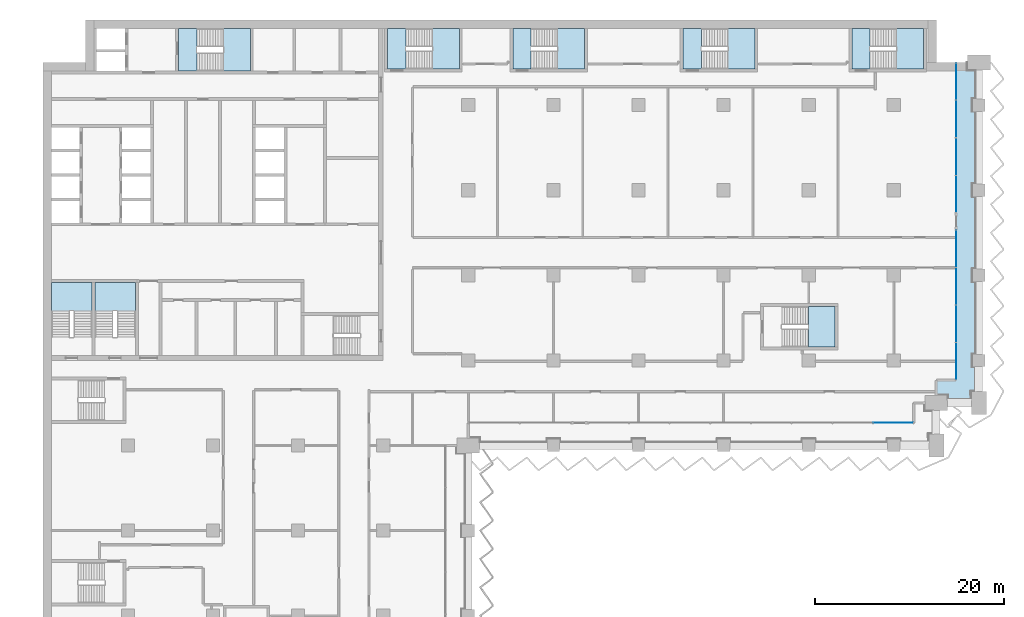
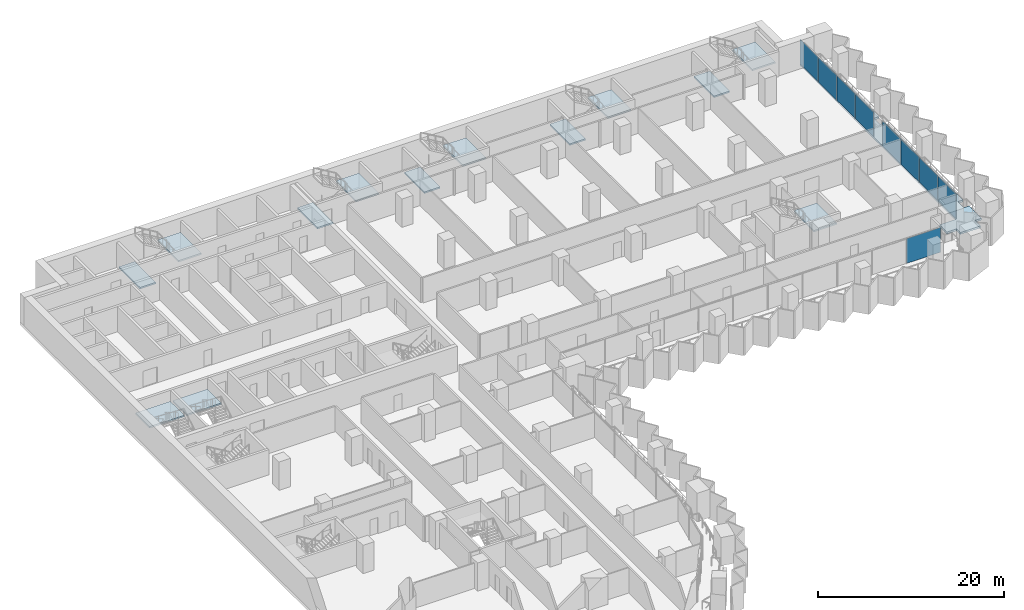
# One storey, part 9 of 29: 14 slabs, 9 plates, 11 elements without a shape of their own.
"""IFC4 building model written with IfcOpenShell, lengths in metres."""

from ifc_helpers import new_model, si_unit, direction, frame, origin, origin_2d, place, context, subcontext, project, spatial, polyline, rectangle, outline, extrude, material, layer, layer_set, type_object, element, aggregate, save


model = new_model("IFC4")

# Units and contexts
model_context = context("Model", 3, precision=1e-05, world=origin(), true_north=direction((0.0, 1.0)))
body_context = subcontext(model_context, "Body", "Model", "MODEL_VIEW")
ifc_project = project(units=[si_unit("LENGTHUNIT", "METRE"), si_unit("AREAUNIT", "SQUARE_METRE"), si_unit("VOLUMEUNIT", "CUBIC_METRE"), si_unit("PLANEANGLEUNIT", "RADIAN"), si_unit("MASSUNIT", "GRAM", prefix="KILO")], contexts=[model_context])

# Site, building, storey
site_placement = place(None, origin())
site = spatial("IfcSite", under=ifc_project, at=site_placement, CompositionType="ELEMENT")
building_placement = place(site_placement, origin())
building = spatial("IfcBuilding", under=site, at=building_placement, Name="Hunhe Ridgeline Campus", CompositionType="ELEMENT")
storey_placement = place(building_placement, frame((0.0, 0.0, 46.89990234375)))
storey = spatial("IfcBuildingStorey", under=building, at=storey_placement, Name="L10", CompositionType="ELEMENT", Elevation=46.89990234375)

# Curtain wall, plate
ifc_material_1 = material(Name="Aluminium 6063", Category="aluminium")
curtain_wall_type = type_object("IfcCurtainWallType", Name="Curtain wall CW-1", PredefinedType="NOTDEFINED", material=ifc_material_1)
curtain_wall_1_placement = place(storey_placement, origin())
curtain_wall_1 = element("IfcCurtainWall", 1, at=curtain_wall_1_placement, inside=storey, type_object=curtain_wall_type, Name="Curtain wall 13", PredefinedType="NOTDEFINED")
ifc_material_2 = material(Name="Low-e laminated glass", Category="glass")
ifc_layer_1 = layer(ifc_material_2, 0.028076171875)
ifc_layer_set_1 = layer_set([ifc_layer_1], Name="Curtain wall glass panel 28 low-e laminated")
plate_type = type_object("IfcPlateType", Name="Curtain wall glass panel 28 low-e laminated", PredefinedType="CURTAIN_PANEL", material=ifc_layer_set_1)
plate_1_placement = place(storey_placement, frame((89.932373046875, 56.40087890625, 0.0), z_axis=(0.0, 0.0, 1.0), x_axis=(0.999999999994, 3.602063e-06, 0.0)))
plate_1 = element("IfcPlate", 2, at=plate_1_placement, type_object=plate_type, Name="CW-1 panel 8", PredefinedType="CURTAIN_PANEL", context=body_context, shape_type="SweptSolid", body=[
    extrude(rectangle(XDim=4.213134765625, YDim=0.028076171875, at=origin_2d()), origin(), (0.0, 0.0, 1.0), 3.239990234375),
])
aggregate(curtain_wall_1, [plate_1])

# Curtain wall, plates
curtain_wall_2_placement = place(storey_placement, origin())
curtain_wall_2 = element("IfcCurtainWall", 3, at=curtain_wall_2_placement, inside=storey, type_object=curtain_wall_type, Name="Curtain wall 14", PredefinedType="NOTDEFINED")
plate_2_placement = place(storey_placement, frame((96.59912109375, 62.9033203125, 0.0), z_axis=(0.0, 0.0, 1.0), x_axis=(0.0, 1.0, 0.0)))
plate_2 = element("IfcPlate", 4, at=plate_2_placement, type_object=plate_type, Name="CW-1 panel 1", PredefinedType="CURTAIN_PANEL", context=body_context, shape_type="SweptSolid", body=[
    extrude(rectangle(XDim=3.884765625, YDim=0.028076171875, at=origin_2d()), origin(), (0.0, 0.0, 1.0), 3.239990234375),
])
plate_3_placement = place(storey_placement, frame((96.59912109375, 66.86328125, 0.0), z_axis=(0.0, 0.0, 1.0), x_axis=(0.0, 1.0, 0.0)))
plate_3 = element("IfcPlate", 5, at=plate_3_placement, type_object=plate_type, Name="CW-1 panel 2", PredefinedType="CURTAIN_PANEL", context=body_context, shape_type="SweptSolid", body=[
    extrude(rectangle(XDim=3.914794921875, YDim=0.028076171875, at=origin_2d()), origin(), (0.0, 0.0, 1.0), 3.239990234375),
])
plate_4_placement = place(storey_placement, frame((96.59912109375, 70.838134765625, 0.0), z_axis=(0.0, 0.0, 1.0), x_axis=(0.0, 1.0, 0.0)))
plate_4 = element("IfcPlate", 6, at=plate_4_placement, type_object=plate_type, Name="CW-1 panel 3", PredefinedType="CURTAIN_PANEL", context=body_context, shape_type="SweptSolid", body=[
    extrude(rectangle(XDim=3.914794921875, YDim=0.028076171875, at=origin_2d()), origin(), (0.0, 0.0, 1.0), 3.239990234375),
])
plate_5_placement = place(storey_placement, frame((96.59912109375, 74.798095703125, 0.0), z_axis=(0.0, 0.0, 1.0), x_axis=(0.0, 1.0, 0.0)))
plate_5 = element("IfcPlate", 7, at=plate_5_placement, type_object=plate_type, Name="CW-1 panel 4", PredefinedType="CURTAIN_PANEL", context=body_context, shape_type="SweptSolid", body=[
    extrude(rectangle(XDim=3.884765625, YDim=0.028076171875, at=origin_2d()), origin(), (0.0, 0.0, 1.0), 3.239990234375),
])
aggregate(curtain_wall_2, [plate_2, plate_3, plate_4, plate_5])

curtain_wall_3_placement = place(storey_placement, origin())
curtain_wall_3 = element("IfcCurtainWall", 8, at=curtain_wall_3_placement, inside=storey, type_object=curtain_wall_type, Name="Curtain wall 15", PredefinedType="NOTDEFINED")
plate_6_placement = place(storey_placement, frame((96.59912109375, 80.60302734375, 0.0), z_axis=(0.0, 0.0, 1.0), x_axis=(0.0, 1.0, 0.0)))
plate_6 = element("IfcPlate", 9, at=plate_6_placement, type_object=plate_type, Name="CW-1 panel 1", PredefinedType="CURTAIN_PANEL", context=body_context, shape_type="SweptSolid", body=[
    extrude(rectangle(XDim=3.884765625, YDim=0.028076171875, at=origin_2d()), origin(), (0.0, 0.0, 1.0), 3.239990234375),
])
plate_7_placement = place(storey_placement, frame((96.59912109375, 84.562744140625, 0.0), z_axis=(0.0, 0.0, 1.0), x_axis=(0.0, 1.0, 0.0)))
plate_7 = element("IfcPlate", 10, at=plate_7_placement, type_object=plate_type, Name="CW-1 panel 2", PredefinedType="CURTAIN_PANEL", context=body_context, shape_type="SweptSolid", body=[
    extrude(rectangle(XDim=3.914794921875, YDim=0.028076171875, at=origin_2d()), origin(), (0.0, 0.0, 1.0), 3.239990234375),
])
plate_8_placement = place(storey_placement, frame((96.59912109375, 88.53759765625, 0.0), z_axis=(0.0, 0.0, 1.0), x_axis=(0.0, 1.0, 0.0)))
plate_8 = element("IfcPlate", 11, at=plate_8_placement, type_object=plate_type, Name="CW-1 panel 3", PredefinedType="CURTAIN_PANEL", context=body_context, shape_type="SweptSolid", body=[
    extrude(rectangle(XDim=3.914794921875, YDim=0.028076171875, at=origin_2d()), origin(), (0.0, 0.0, 1.0), 3.239990234375),
])
plate_9_placement = place(storey_placement, frame((96.59912109375, 92.49755859375, 0.0), z_axis=(0.0, 0.0, 1.0), x_axis=(0.0, 1.0, 0.0)))
plate_9 = element("IfcPlate", 12, at=plate_9_placement, type_object=plate_type, Name="CW-1 panel 4", PredefinedType="CURTAIN_PANEL", context=body_context, shape_type="SweptSolid", body=[
    extrude(rectangle(XDim=3.884765625, YDim=0.028076171875, at=origin_2d()), origin(), (0.0, 0.0, 1.0), 3.239990234375),
])
aggregate(curtain_wall_3, [plate_6, plate_7, plate_8, plate_9])

# Slab
ifc_material_3 = material(Name="Concrete C40", Category="concrete")
ifc_layer_2 = layer(ifc_material_3, 0.25)
ifc_layer_set_2 = layer_set([ifc_layer_2], Name="Loggia slab 250 Concrete C40")
slab_type_1 = type_object("IfcSlabType", Name="Loggia slab 250 Concrete C40", PredefinedType="FLOOR", material=ifc_layer_set_2)
slab_1_placement = place(storey_placement, frame((0.0, 0.0, -0.25)))
element("IfcSlab", 13, at=slab_1_placement, inside=storey, type_object=slab_type_1, Name="Loggia slab 3", PredefinedType="FLOOR", context=body_context, shape_type="SweptSolid", body=[
    extrude(outline(polyline([(94.5, 59.300048828125), (95.699951171875, 59.300048828125), (95.699951171875, 58.5), (98.199951171875, 58.5), (98.199951171875, 59.699951171875), (99.0, 59.699951171875), (99.0, 62.35009765625), (98.35009765625, 62.35009765625), (98.35009765625, 63.64990234375), (99.0, 63.64990234375), (99.0, 71.35009765625), (98.35009765625, 71.35009765625), (98.35009765625, 72.64990234375), (99.0, 72.64990234375), (99.0, 80.35009765625), (98.35009765625, 80.35009765625), (98.35009765625, 81.64990234375), (99.0, 81.64990234375), (99.0, 89.35009765625), (98.35009765625, 89.35009765625), (98.35009765625, 90.64990234375), (99.0, 90.64990234375), (99.0, 93.699951171875), (97.800048828125, 93.699951171875), (97.800048828125, 94.5), (96.60009765625, 94.5), (96.60009765625, 60.89990234375), (94.5, 60.89990234375), (94.5, 59.300048828125)])), origin(), (0.0, 0.0, 1.0), 0.25),
])

# Stair, slab
stair_type = type_object("IfcStairType", Name="Reinforced concrete dog-leg stair 1950 Concrete C40", PredefinedType="HALF_TURN_STAIR", material=ifc_material_3)
stair_1_placement = place(storey_placement, origin())
stair_1 = element("IfcStair", 14, at=stair_1_placement, inside=storey, type_object=stair_type, Name="L10 S1", PredefinedType="HALF_TURN_STAIR")
ifc_layer_3 = layer(ifc_material_3, 0.199951171875)
ifc_layer_set_3 = layer_set([ifc_layer_3], Name="Reinforced concrete stair landing 200 Concrete C40")
slab_type_2 = type_object("IfcSlabType", Name="Reinforced concrete stair landing 200 Concrete C40", PredefinedType="LANDING", material=ifc_layer_set_3)
slab_2_placement = place(storey_placement, frame((0.0, 0.0, 1.650146484375)))
slab_2 = element("IfcSlab", 15, at=slab_2_placement, type_object=slab_type_2, Name="ST1 landing 1", PredefinedType="LANDING", context=body_context, shape_type="SweptSolid", body=[
    extrude(outline(polyline([(19.10009765625, 93.60009765625), (21.949951171875, 93.60009765625), (21.949951171875, 98.10009765625), (19.10009765625, 98.10009765625), (19.10009765625, 93.60009765625)])), origin(), (0.0, 0.0, 1.0), 0.199951171875),
])
aggregate(stair_1, [slab_2])

# Slab
slab_3_placement = place(storey_placement, frame((0.0, 0.0, -0.199951171875)))
element("IfcSlab", 16, at=slab_3_placement, inside=storey, type_object=slab_type_2, Name="L10 stair S1 floor landing", PredefinedType="LANDING", context=body_context, shape_type="SweptSolid", body=[
    extrude(outline(polyline([(14.35009765625, 93.60009765625), (16.300048828125, 93.60009765625), (16.300048828125, 98.10009765625), (14.35009765625, 98.10009765625), (14.35009765625, 93.60009765625)])), origin(), (0.0, 0.0, 1.0), 0.199951171875),
])

# Stair, slab
stair_2_placement = place(storey_placement, origin())
stair_2 = element("IfcStair", 17, at=stair_2_placement, inside=storey, type_object=stair_type, Name="L10 S3", PredefinedType="HALF_TURN_STAIR")
slab_4_placement = place(storey_placement, frame((0.0, 0.0, 1.650146484375)))
slab_4 = element("IfcSlab", 18, at=slab_4_placement, type_object=slab_type_2, Name="ST3 landing 1", PredefinedType="LANDING", context=body_context, shape_type="SweptSolid", body=[
    extrude(outline(polyline([(5.199951171875, 68.25), (5.199951171875, 71.25), (0.89990234375, 71.25), (0.89990234375, 68.25), (5.199951171875, 68.25)])), origin(), (0.0, 0.0, 1.0), 0.199951171875),
])
aggregate(stair_2, [slab_4])

stair_3_placement = place(storey_placement, origin())
stair_3 = element("IfcStair", 19, at=stair_3_placement, inside=storey, type_object=stair_type, Name="L10 S4", PredefinedType="HALF_TURN_STAIR")
slab_5_placement = place(storey_placement, frame((0.0, 0.0, 1.650146484375)))
slab_5 = element("IfcSlab", 20, at=slab_5_placement, type_object=slab_type_2, Name="ST4 landing 1", PredefinedType="LANDING", context=body_context, shape_type="SweptSolid", body=[
    extrude(outline(polyline([(9.800048828125, 68.25), (9.800048828125, 71.25), (5.5, 71.25), (5.5, 68.25), (9.800048828125, 68.25)])), origin(), (0.0, 0.0, 1.0), 0.199951171875),
])
aggregate(stair_3, [slab_5])

stair_4_placement = place(storey_placement, origin())
stair_4 = element("IfcStair", 21, at=stair_4_placement, inside=storey, type_object=stair_type, Name="L10 E1", PredefinedType="HALF_TURN_STAIR")
slab_6_placement = place(storey_placement, frame((0.0, 0.0, 1.650146484375)))
slab_6 = element("IfcSlab", 22, at=slab_6_placement, type_object=slab_type_2, Name="ST5 landing 1", PredefinedType="LANDING", context=body_context, shape_type="SweptSolid", body=[
    extrude(outline(polyline([(41.199951171875, 93.800048828125), (44.050048828125, 93.800048828125), (44.050048828125, 98.10009765625), (41.199951171875, 98.10009765625), (41.199951171875, 93.800048828125)])), origin(), (0.0, 0.0, 1.0), 0.199951171875),
])
aggregate(stair_4, [slab_6])

# Slab
slab_7_placement = place(storey_placement, frame((0.0, 0.0, -0.199951171875)))
element("IfcSlab", 23, at=slab_7_placement, inside=storey, type_object=slab_type_2, Name="L10 stair E1 floor landing", PredefinedType="LANDING", context=body_context, shape_type="SweptSolid", body=[
    extrude(outline(polyline([(36.449951171875, 93.800048828125), (38.39990234375, 93.800048828125), (38.39990234375, 98.10009765625), (36.449951171875, 98.10009765625), (36.449951171875, 93.800048828125)])), origin(), (0.0, 0.0, 1.0), 0.199951171875),
])

# Stair, slab
stair_5_placement = place(storey_placement, origin())
stair_5 = element("IfcStair", 24, at=stair_5_placement, inside=storey, type_object=stair_type, Name="L10 E2", PredefinedType="HALF_TURN_STAIR")
slab_8_placement = place(storey_placement, frame((0.0, 0.0, 1.650146484375)))
slab_8 = element("IfcSlab", 25, at=slab_8_placement, type_object=slab_type_2, Name="ST6 landing 1", PredefinedType="LANDING", context=body_context, shape_type="SweptSolid", body=[
    extrude(outline(polyline([(54.449951171875, 93.800048828125), (57.300048828125, 93.800048828125), (57.300048828125, 98.10009765625), (54.449951171875, 98.10009765625), (54.449951171875, 93.800048828125)])), origin(), (0.0, 0.0, 1.0), 0.199951171875),
])
aggregate(stair_5, [slab_8])

# Slab
slab_9_placement = place(storey_placement, frame((0.0, 0.0, -0.199951171875)))
element("IfcSlab", 26, at=slab_9_placement, inside=storey, type_object=slab_type_2, Name="L10 stair E2 floor landing", PredefinedType="LANDING", context=body_context, shape_type="SweptSolid", body=[
    extrude(outline(polyline([(49.699951171875, 93.800048828125), (51.64990234375, 93.800048828125), (51.64990234375, 98.10009765625), (49.699951171875, 98.10009765625), (49.699951171875, 93.800048828125)])), origin(), (0.0, 0.0, 1.0), 0.199951171875),
])

# Stair, slab
stair_6_placement = place(storey_placement, origin())
stair_6 = element("IfcStair", 27, at=stair_6_placement, inside=storey, type_object=stair_type, Name="L10 E3", PredefinedType="HALF_TURN_STAIR")
slab_10_placement = place(storey_placement, frame((0.0, 0.0, 1.650146484375)))
slab_10 = element("IfcSlab", 28, at=slab_10_placement, type_object=slab_type_2, Name="ST7 landing 1", PredefinedType="LANDING", context=body_context, shape_type="SweptSolid", body=[
    extrude(outline(polyline([(72.449951171875, 93.800048828125), (75.300048828125, 93.800048828125), (75.300048828125, 98.10009765625), (72.449951171875, 98.10009765625), (72.449951171875, 93.800048828125)])), origin(), (0.0, 0.0, 1.0), 0.199951171875),
])
aggregate(stair_6, [slab_10])

# Slab
slab_11_placement = place(storey_placement, frame((0.0, 0.0, -0.199951171875)))
element("IfcSlab", 29, at=slab_11_placement, inside=storey, type_object=slab_type_2, Name="L10 stair E3 floor landing", PredefinedType="LANDING", context=body_context, shape_type="SweptSolid", body=[
    extrude(outline(polyline([(67.699951171875, 93.800048828125), (69.64990234375, 93.800048828125), (69.64990234375, 98.10009765625), (67.699951171875, 98.10009765625), (67.699951171875, 93.800048828125)])), origin(), (0.0, 0.0, 1.0), 0.199951171875),
])

# Stair, slab
stair_7_placement = place(storey_placement, origin())
stair_7 = element("IfcStair", 30, at=stair_7_placement, inside=storey, type_object=stair_type, Name="L10 E4", PredefinedType="HALF_TURN_STAIR")
slab_12_placement = place(storey_placement, frame((0.0, 0.0, 1.650146484375)))
slab_12 = element("IfcSlab", 31, at=slab_12_placement, type_object=slab_type_2, Name="ST8 landing 1", PredefinedType="LANDING", context=body_context, shape_type="SweptSolid", body=[
    extrude(outline(polyline([(90.300048828125, 93.800048828125), (93.14990234375, 93.800048828125), (93.14990234375, 98.10009765625), (90.300048828125, 98.10009765625), (90.300048828125, 93.800048828125)])), origin(), (0.0, 0.0, 1.0), 0.199951171875),
])
aggregate(stair_7, [slab_12])

# Slab
slab_13_placement = place(storey_placement, frame((0.0, 0.0, -0.199951171875)))
element("IfcSlab", 32, at=slab_13_placement, inside=storey, type_object=slab_type_2, Name="L10 stair E4 floor landing", PredefinedType="LANDING", context=body_context, shape_type="SweptSolid", body=[
    extrude(outline(polyline([(85.550048828125, 93.800048828125), (87.5, 93.800048828125), (87.5, 98.10009765625), (85.550048828125, 98.10009765625), (85.550048828125, 93.800048828125)])), origin(), (0.0, 0.0, 1.0), 0.199951171875),
])

# Stair, slab
stair_8_placement = place(storey_placement, origin())
stair_8 = element("IfcStair", 33, at=stair_8_placement, inside=storey, type_object=stair_type, Name="L10 E5", PredefinedType="HALF_TURN_STAIR")
slab_14_placement = place(storey_placement, frame((0.0, 0.0, 1.650146484375)))
slab_14 = element("IfcSlab", 34, at=slab_14_placement, type_object=slab_type_2, Name="ST10 landing 1", PredefinedType="LANDING", context=body_context, shape_type="SweptSolid", body=[
    extrude(outline(polyline([(80.949951171875, 64.39990234375), (83.800048828125, 64.39990234375), (83.800048828125, 68.699951171875), (80.949951171875, 68.699951171875), (80.949951171875, 64.39990234375)])), origin(), (0.0, 0.0, 1.0), 0.199951171875),
])
aggregate(stair_8, [slab_14])

save(model, "model.ifc")
